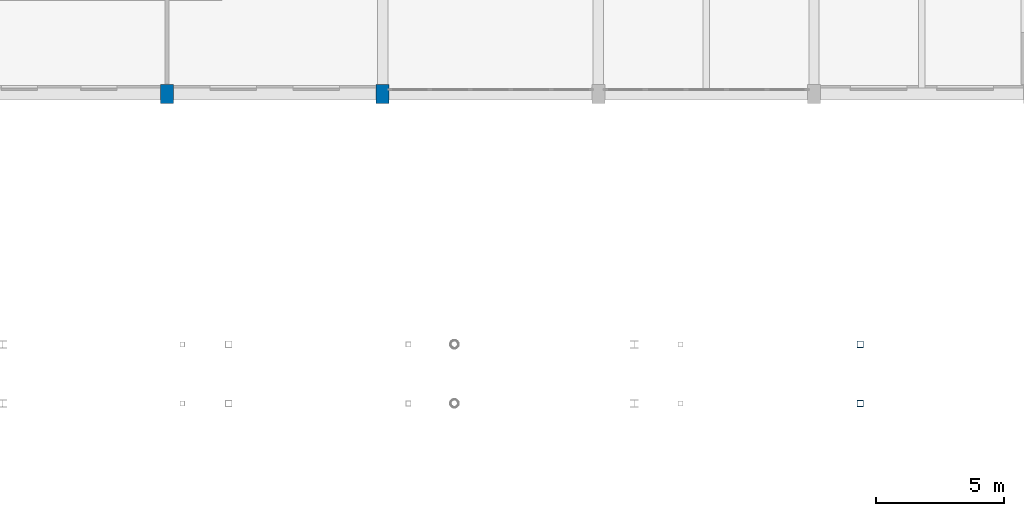
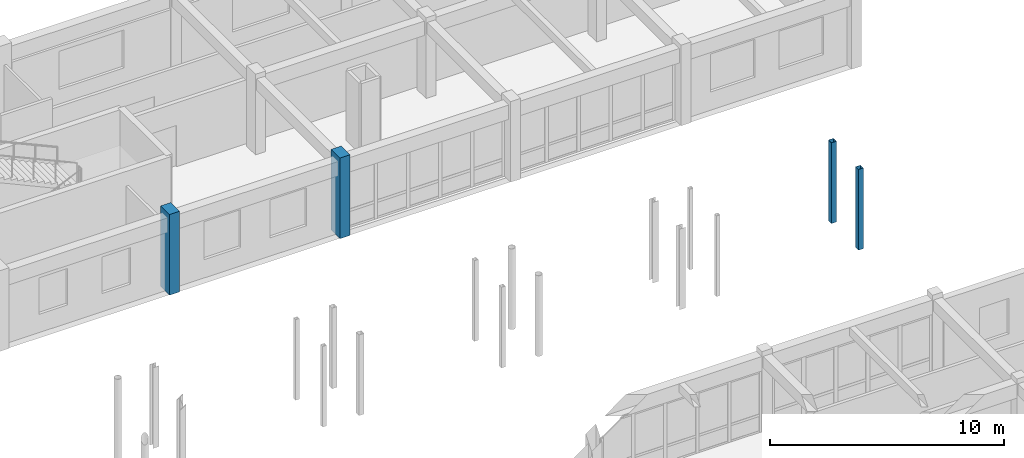
# One storey, part 23 of 90: 4 columns.
"""IFC4 building model written with IfcOpenShell, lengths in metres."""

import ifcopenshell
import ifcopenshell.guid

model = None  # the IFC model being written
_history = None  # IfcOwnerHistory: only IFC2X3 demands one
_inside = {}  # id of a spatial element -> (the spatial element, [elements in it])
_under = {}  # id of a project, library or spatial element -> (it, [spatial elements below it])
_declared = {}  # id of a project -> (the project, [libraries it declares])
_typed = {}  # id of a type object -> (the type object, [elements of that type])
_made_of = {}  # id of a material, layer set ... -> (it, [elements and type objects made of it])


def new_model(schema):
    """Start an empty IFC model of exactly this schema.

    Asked for "IFC4X3", IfcOpenShell would pick the latest addendum, in which some entities
    have other attributes; the version numbers below select the first issue.
    IFC2X3 requires an IfcOwnerHistory on every rooted entity: one is made here for all.
    """
    global model, _history
    if schema == "IFC4X3":
        model = ifcopenshell.file(schema_version=(4, 3, 0, 0))
    else:
        model = ifcopenshell.file(schema=schema)
    _inside.clear()
    _under.clear()
    _declared.clear()
    _typed.clear()
    _made_of.clear()
    _history = None
    if model.schema == "IFC2X3":
        org = make("IfcOrganization", Name="unknown")
        user = make(
            "IfcPersonAndOrganization",
            ThePerson=make("IfcPerson", FamilyName="unknown"),
            TheOrganization=org,
        )
        app = make(
            "IfcApplication",
            ApplicationDeveloper=org,
            Version="unknown",
            ApplicationFullName="unknown",
            ApplicationIdentifier="unknown",
        )
        _history = make(
            "IfcOwnerHistory",
            OwningUser=user,
            OwningApplication=app,
            ChangeAction="ADDED",
            CreationDate=0,
        )
    return model


def make(cls, **values):
    """One entity of the class cls with the attributes given. An attribute that is None is left unset."""
    return model.create_entity(
        cls, **{name: value for name, value in values.items() if value is not None}
    )


def rooted(cls, **values):
    """An entity with a GlobalId (a new one), such as an element, a storey or a relation."""
    return make(cls, GlobalId=ifcopenshell.guid.new(), OwnerHistory=_history, **values)


def si_unit(unit_type, name, prefix=None):
    """IfcSIUnit, for example si_unit("LENGTHUNIT", "METRE", prefix="MILLI")."""
    return make("IfcSIUnit", UnitType=unit_type, Prefix=prefix, Name=name)


def assignment(units):
    """IfcUnitAssignment: the units of a project."""
    return None if units is None else make("IfcUnitAssignment", Units=units)


def point(xyz):
    """IfcCartesianPoint."""
    return None if xyz is None else make("IfcCartesianPoint", Coordinates=xyz)


def direction(xyz):
    """IfcDirection."""
    return None if xyz is None else make("IfcDirection", DirectionRatios=xyz)


def frame(location, z_axis=None, x_axis=None):
    """IfcAxis2Placement3D, a coordinate frame: its origin and axes. An axis left out is left unset."""
    return make(
        "IfcAxis2Placement3D",
        Location=point(location),
        Axis=direction(z_axis),
        RefDirection=direction(x_axis),
    )


def frame_2d(location, x_axis=None):
    """IfcAxis2Placement2D, a coordinate frame in the plane: its origin and x axis."""
    return make(
        "IfcAxis2Placement2D", Location=point(location), RefDirection=direction(x_axis)
    )


def origin():
    """The frame at (0, 0, 0) with its axes left unset."""
    return frame((0.0, 0.0, 0.0))


def origin_2d():
    """The frame at (0, 0) in the plane with its x axis left unset."""
    return frame_2d((0.0, 0.0))


def place(relative_to, where):
    """IfcLocalPlacement: puts the frame where relative to a parent placement (None: the world)."""
    return make(
        "IfcLocalPlacement", PlacementRelTo=relative_to, RelativePlacement=where
    )


def context(
    kind, dimensions, precision=None, world=None, true_north=None, identifier=None
):
    """IfcGeometricRepresentationContext, for example the 3D "Model" context."""
    return make(
        "IfcGeometricRepresentationContext",
        ContextIdentifier=identifier,
        ContextType=kind,
        CoordinateSpaceDimension=dimensions,
        Precision=precision,
        WorldCoordinateSystem=world,
        TrueNorth=true_north,
    )


def subcontext(parent, identifier, kind, view, scale=None):
    """IfcGeometricRepresentationSubContext, for example "Body" below "Model"."""
    return make(
        "IfcGeometricRepresentationSubContext",
        ContextIdentifier=identifier,
        ContextType=kind,
        ParentContext=parent,
        TargetScale=scale,
        TargetView=view,
    )


def project(units=None, contexts=None):
    """IfcProject with its units and contexts."""
    return rooted(
        "IfcProject",
        Name="project",
        RepresentationContexts=contexts,
        UnitsInContext=assignment(units),
    )


def spatial(cls, under=None, at=None, **own):
    """A site, building, storey or space (cls), placed at a placement, below another one or the project."""
    s = rooted(cls, ObjectPlacement=at, **own)
    if under is not None:
        _under.setdefault(under.id(), (under, []))[1].append(s)
    return s


def profile(cls, at=None, kind="AREA", **sizes):
    """A parametric profile (cls). Its sizes go by their IFC names, for example OverallWidth=200.0."""
    return make(cls, ProfileType=kind, Position=at, **sizes)


def rectangle(**sizes):
    """IfcRectangleProfileDef."""
    return profile("IfcRectangleProfileDef", **sizes)


def hollow_rectangle(**sizes):
    """IfcRectangleHollowProfileDef."""
    return profile("IfcRectangleHollowProfileDef", **sizes)


def extrude(swept, where, along, depth):
    """IfcExtrudedAreaSolid: the profile swept, set in the frame where, extruded along a direction by depth."""
    return make(
        "IfcExtrudedAreaSolid",
        SweptArea=swept,
        Position=where,
        ExtrudedDirection=direction(along),
        Depth=depth,
    )


def shape(context_of_items, identifier, shape_type, items):
    """IfcShapeRepresentation: the items that make up one representation, for example the "Body"."""
    return make(
        "IfcShapeRepresentation",
        ContextOfItems=context_of_items,
        RepresentationIdentifier=identifier,
        RepresentationType=shape_type,
        Items=items,
    )


def material(Name=None, Category=None):
    """IfcMaterial."""
    return make("IfcMaterial", Name=Name, Category=Category)


def material_profile(
    of_material, cross_section, Name=None, Category=None, Priority=None
):
    """IfcMaterialProfile: a cross section and its material."""
    return make(
        "IfcMaterialProfile",
        Name=Name,
        Material=of_material,
        Profile=cross_section,
        Priority=Priority,
        Category=Category,
    )


def profile_set(profiles, Name=None, composite=None):
    """IfcMaterialProfileSet."""
    return make(
        "IfcMaterialProfileSet",
        Name=Name,
        MaterialProfiles=profiles,
        CompositeProfile=composite,
    )


def made_of(thing, what):
    """Note that an element or type object is made of a material, layer set ...; save() writes the relation."""
    if what is not None:
        _made_of.setdefault(what.id(), (what, []))[1].append(thing)
    return thing


def type_object(cls, material=None, **own):
    """A type object (cls), such as IfcWallType, which elements share."""
    return made_of(rooted(cls, **own), material)


def element(
    cls,
    number,
    at=None,
    inside=None,
    cuts=None,
    type_object=None,
    material=None,
    context=None,
    identifier="Body",
    shape_type=None,
    held_by="IfcProductDefinitionShape",
    body=None,
    shapes=None,
    **own,
):
    """One element of the class cls, such as IfcWall. Its Tag is "e" and its number.

    at: its placement. inside: the storey or other place that contains it. cuts: it is an
    opening in that element (IfcRelVoidsElement). A single representation is given by context,
    identifier, shape_type and body (its items); several are given by shapes. held_by: the class
    of the entity that holds the representations. save() writes the other relations.
    """
    e = rooted(cls, Tag="e%d" % number, ObjectPlacement=at, **own)
    if body is not None:
        shapes = [shape(context, identifier, shape_type, body)]
    if shapes is not None:
        e.Representation = make(held_by, Representations=shapes)
    if inside is not None:
        _inside.setdefault(inside.id(), (inside, []))[1].append(e)
    if cuts is not None:
        rooted(
            "IfcRelVoidsElement", RelatingBuildingElement=cuts, RelatedOpeningElement=e
        )
    if type_object is not None:
        _typed.setdefault(type_object.id(), (type_object, []))[1].append(e)
    return made_of(e, material)


def aggregate(whole, parts):
    """IfcRelAggregates: a whole, such as a stair, and the parts it consists of."""
    return rooted("IfcRelAggregates", RelatingObject=whole, RelatedObjects=parts)


def save(model, path):
    """Write the relations noted so far, then the file.

    IfcRelAggregates (storeys below a building ...), IfcRelContainedInSpatialStructure (elements
    in a storey), IfcRelDefinesByType, IfcRelAssociatesMaterial and IfcRelDeclares: one each for
    every whole, place, type object, material and project.
    """
    for whole, parts in _under.values():
        aggregate(whole, parts)
    for where, things in _inside.values():
        rooted(
            "IfcRelContainedInSpatialStructure",
            RelatedElements=things,
            RelatingStructure=where,
        )
    for kind, things in _typed.values():
        rooted("IfcRelDefinesByType", RelatedObjects=things, RelatingType=kind)
    for what, things in _made_of.values():
        rooted("IfcRelAssociatesMaterial", RelatedObjects=things, RelatingMaterial=what)
    for by, libraries in _declared.values():
        rooted("IfcRelDeclares", RelatingContext=by, RelatedDefinitions=libraries)
    model.write(path)


model = new_model("IFC4")

# Units and contexts
model_context = context("Model", 3, precision=1e-05, world=origin(), true_north=direction((0.0, 1.0)))
body_context = subcontext(model_context, "Body", "Model", "MODEL_VIEW")
ifc_project = project(units=[si_unit("LENGTHUNIT", "METRE"), si_unit("AREAUNIT", "SQUARE_METRE"), si_unit("VOLUMEUNIT", "CUBIC_METRE"), si_unit("PLANEANGLEUNIT", "RADIAN"), si_unit("MASSUNIT", "GRAM", prefix="KILO")], contexts=[model_context])

# Site, building, storey
site_placement = place(None, origin())
site = spatial("IfcSite", under=ifc_project, at=site_placement, CompositionType="ELEMENT")
building_placement = place(site_placement, origin())
building = spatial("IfcBuilding", under=site, at=building_placement, Name="Malvenik Polytechnic", CompositionType="ELEMENT")
storey_placement = place(building_placement, frame((0.0, 0.0, 9.300048828125)))
storey = spatial("IfcBuildingStorey", under=building, at=storey_placement, Name="L02", CompositionType="ELEMENT", Elevation=9.300048828125)

# Columns
ifc_material_1 = material(Name="Concrete C35/45", Category="concrete")
ifc_material_profile_1 = material_profile(ifc_material_1, rectangle(XDim=0.5, YDim=0.75, at=origin_2d()), Name="RC COL 750x500")
ifc_profile_set_1 = profile_set([ifc_material_profile_1], Name="Concrete C35/45")
column_type_1 = type_object("IfcColumnType", Name="STR-COL-C-14", PredefinedType="COLUMN", material=ifc_profile_set_1)
for number, where, z_axis, x_axis, name in (
    (1, (100.800048828125, 115.199951171875, 0.0), (0.0, 0.0, 1.0), (1.0, 0.0, 0.0), "Column C-14 L02 (100.8,115.2)"),
    (2, (109.199951171875, 115.199951171875, 0.0), (0.0, 0.0, 1.0), (1.0, 0.0, 0.0), "Column C-14 L02 (109.2,115.2)"),
):
    element("IfcColumn", number, at=place(storey_placement, frame(where, z_axis=z_axis, x_axis=x_axis)), inside=storey, type_object=column_type_1, Name=name, PredefinedType="COLUMN", context=body_context, shape_type="SweptSolid", body=[
        extrude(rectangle(XDim=0.5, YDim=0.75, at=origin_2d()), origin(), (0.0, 0.0, 1.0), 4.199951171875),
    ])
ifc_material_2 = material(Name="Steel S355J2H", Category="steel")
ifc_material_profile_2 = material_profile(ifc_material_2, hollow_rectangle(XDim=0.25, YDim=0.25, WallThickness=0.010009765625, at=origin_2d()), Name="SHS 250x250x10.0")
ifc_profile_set_2 = profile_set([ifc_material_profile_2], Name="Steel S355J2H")
column_type_2 = type_object("IfcColumnType", Name="STR-SCOL-SC-01", PredefinedType="COLUMN", material=ifc_profile_set_2)
for number, where, z_axis, x_axis, name in (
    (3, (127.800048828125, 103.14990234375, 0.0), (0.0, 0.0, 1.0), (1.0, 0.0, 0.0), "Bridge-Ramp Support Column SC-01 L02"),
    (4, (127.800048828125, 105.449951171875, 0.0), (0.0, 0.0, 1.0), (1.0, 0.0, 0.0), "Bridge-Ramp Support Column SC-01 L02"),
):
    element("IfcColumn", number, at=place(storey_placement, frame(where, z_axis=z_axis, x_axis=x_axis)), inside=storey, type_object=column_type_2, Name=name, PredefinedType="COLUMN", context=body_context, shape_type="SweptSolid", body=[
        extrude(hollow_rectangle(XDim=0.25, YDim=0.25, WallThickness=0.010009765625, at=origin_2d()), origin(), (0.0, 0.0, 1.0), 4.199951171875),
    ])

save(model, "model.ifc")
